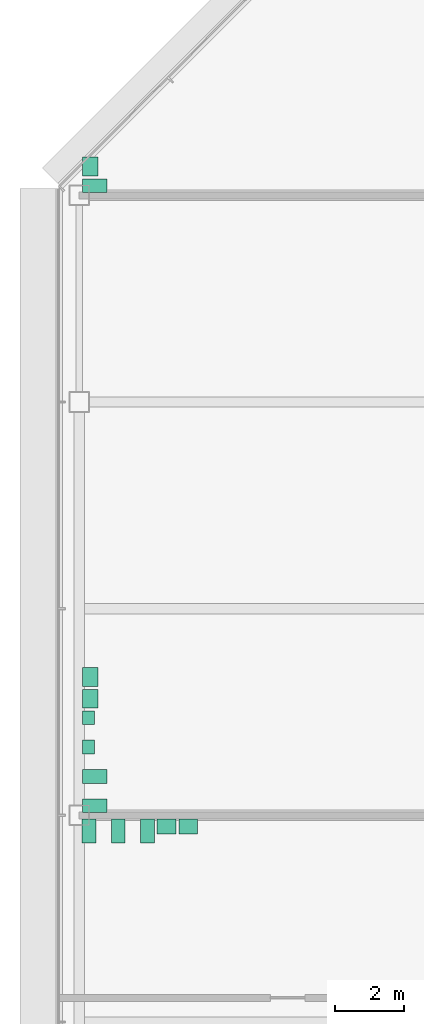
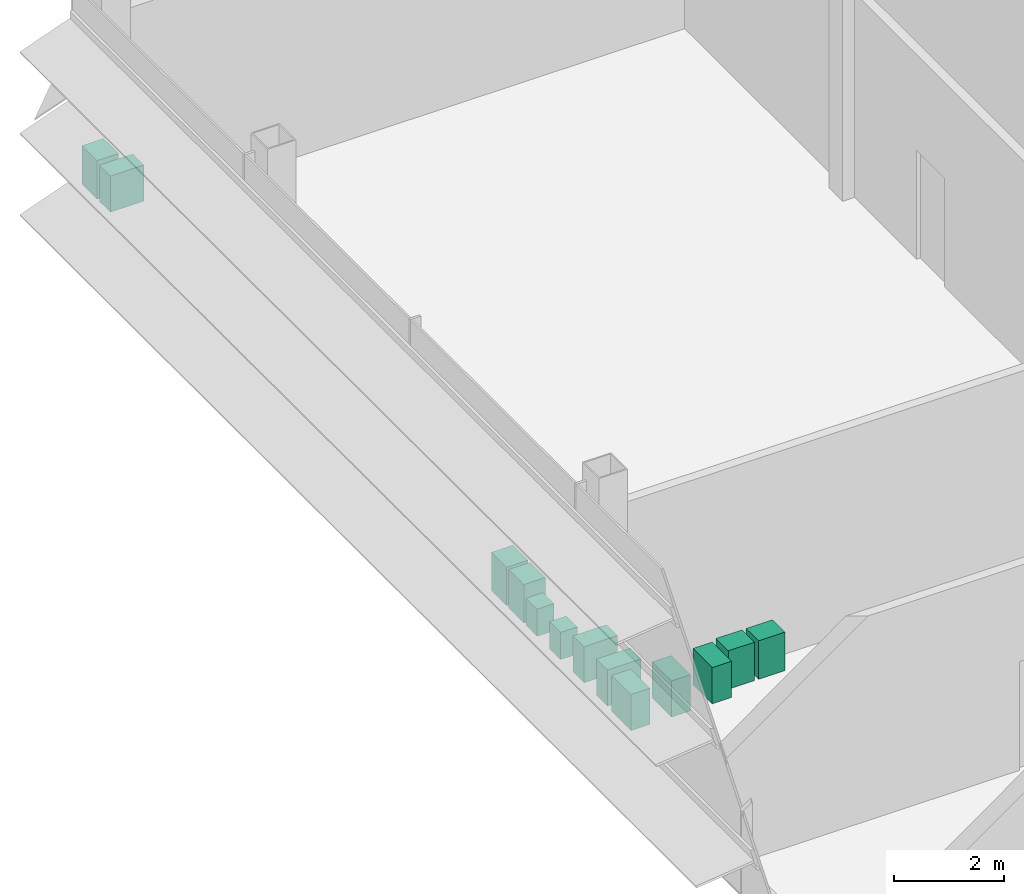
# One storey, part 26 of 26: 13 sanitary terminals.
"""IFC4 building model written with IfcOpenShell, lengths in metres."""

from ifc_helpers import new_model, si_unit, direction, frame, origin, origin_2d, place, context, subcontext, project, spatial, rectangle, extrude, element, save


model = new_model("IFC4")

# Units and contexts
model_context = context("Model", 3, precision=1e-05, world=origin(), true_north=direction((0.0, 1.0)))
body_context = subcontext(model_context, "Body", "Model", "MODEL_VIEW")
ifc_project = project(units=[si_unit("LENGTHUNIT", "METRE"), si_unit("AREAUNIT", "SQUARE_METRE"), si_unit("VOLUMEUNIT", "CUBIC_METRE"), si_unit("PLANEANGLEUNIT", "RADIAN"), si_unit("MASSUNIT", "GRAM", prefix="KILO")], contexts=[model_context])

# Site, building, storey
site_placement = place(None, origin())
site = spatial("IfcSite", under=ifc_project, at=site_placement, CompositionType="ELEMENT")
building_placement = place(site_placement, origin())
building = spatial("IfcBuilding", under=site, at=building_placement, Name="Sorahane Residences", CompositionType="ELEMENT")
storey_placement = place(building_placement, frame((0.0, 0.0, 257.60009765625)))
storey = spatial("IfcBuildingStorey", under=building, at=storey_placement, Name="L61", CompositionType="ELEMENT", Elevation=257.60009765625)

# Sanitary terminals
for number, where, z_axis, x_axis, name in (
    (1, (-11.719970703125, 23.550048828125, 0.0), (0.0, 0.0, 1.0), (1.0, 0.0, 0.0), "WC pan Women's toilets 61"),
    (2, (-10.8701171875, 23.550048828125, 0.0), (0.0, 0.0, 1.0), (1.0, 0.0, 0.0), "WC pan Women's toilets 61"),
    (3, (-10.02001953125, 23.550048828125, 0.0), (0.0, 0.0, 1.0), (1.0, 0.0, 0.0), "WC pan Women's toilets 61"),
):
    element("IfcSanitaryTerminal", number, at=place(storey_placement, frame(where, z_axis=z_axis, x_axis=x_axis)), inside=storey, Name=name, PredefinedType="TOILETPAN", context=body_context, shape_type="SweptSolid", body=[
        extrude(rectangle(XDim=0.39990234375, YDim=0.699951171875, at=origin_2d()), origin(), (0.0, 0.0, 1.0), 0.800048828125),
    ])
for number, where, z_axis, x_axis, name in (
    (4, (-9.465087890625, 23.675048828125, -0.000244140625), (0.0, 0.0, 1.0), (1.0, 0.0, 0.0), "Wash basin Women's toilets 61"),
    (5, (-8.8349609375, 23.675048828125, -0.000244140625), (0.0, 0.0, 1.0), (1.0, 0.0, 0.0), "Wash basin Women's toilets 61"),
):
    element("IfcSanitaryTerminal", number, at=place(storey_placement, frame(where, z_axis=z_axis, x_axis=x_axis)), inside=storey, Name=name, PredefinedType="WASHHANDBASIN", context=body_context, shape_type="SweptSolid", body=[
        extrude(rectangle(XDim=0.550048828125, YDim=0.449951171875, at=origin_2d()), origin(), (0.0, 0.0, 1.0), 0.85009765625),
    ])
for number, where, z_axis, x_axis, name in (
    (6, (-11.550048828125, 24.280029296875, 0.0), (0.0, 0.0, 1.0), (0.0, 1.0, 0.0), "WC pan Men's toilets 61"),
    (7, (-11.550048828125, 25.1298828125, 0.0), (0.0, 0.0, 1.0), (0.0, 1.0, 0.0), "WC pan Men's toilets 61"),
):
    element("IfcSanitaryTerminal", number, at=place(storey_placement, frame(where, z_axis=z_axis, x_axis=x_axis)), inside=storey, Name=name, PredefinedType="TOILETPAN", context=body_context, shape_type="SweptSolid", body=[
        extrude(rectangle(XDim=0.39990234375, YDim=0.699951171875, at=origin_2d()), origin(), (0.0, 0.0, 1.0), 0.800048828125),
    ])
for number, where, z_axis, x_axis, name in (
    (8, (-11.72509765625, 25.97998046875, -0.000244140625), (0.0, 0.0, 1.0), (0.0, 1.0, 0.0), "Urinal Men's toilets 61"),
    (9, (-11.72509765625, 26.830078125, -0.000244140625), (0.0, 0.0, 1.0), (0.0, 1.0, 0.0), "Urinal Men's toilets 61"),
):
    element("IfcSanitaryTerminal", number, at=place(storey_placement, frame(where, z_axis=z_axis, x_axis=x_axis)), inside=storey, Name=name, PredefinedType="URINAL", context=body_context, shape_type="SweptSolid", body=[
        extrude(rectangle(XDim=0.39990234375, YDim=0.35009765625, at=origin_2d()), origin(), (0.0, 0.0, 1.0), 0.60009765625),
    ])
for number, where, z_axis, x_axis, name in (
    (10, (-11.675048828125, 27.385009765625, -0.000244140625), (0.0, 0.0, 1.0), (0.0, 1.0, 0.0), "Wash basin Men's toilets 61"),
    (11, (-11.675048828125, 28.014892578125, -0.000244140625), (0.0, 0.0, 1.0), (0.0, 1.0, 0.0), "Wash basin Men's toilets 61"),
):
    element("IfcSanitaryTerminal", number, at=place(storey_placement, frame(where, z_axis=z_axis, x_axis=x_axis)), inside=storey, Name=name, PredefinedType="WASHHANDBASIN", context=body_context, shape_type="SweptSolid", body=[
        extrude(rectangle(XDim=0.550048828125, YDim=0.449951171875, at=origin_2d()), origin(), (0.0, 0.0, 1.0), 0.85009765625),
    ])
sanitary_terminal_1_placement = place(storey_placement, frame((-11.550048828125, 42.280029296875, 0.0), z_axis=(0.0, 0.0, 1.0), x_axis=(0.0, 1.0, 0.0)))
element("IfcSanitaryTerminal", 12, at=sanitary_terminal_1_placement, inside=storey, Name="WC pan Accessible toilets 61", PredefinedType="TOILETPAN", context=body_context, shape_type="SweptSolid", body=[
    extrude(rectangle(XDim=0.39990234375, YDim=0.699951171875, at=origin_2d()), origin(), (0.0, 0.0, 1.0), 0.800048828125),
])
sanitary_terminal_2_placement = place(storey_placement, frame((-11.675048828125, 42.8349609375, -0.000244140625), z_axis=(0.0, 0.0, 1.0), x_axis=(0.0, 1.0, 0.0)))
element("IfcSanitaryTerminal", 13, at=sanitary_terminal_2_placement, inside=storey, Name="Wash basin Accessible toilets 61", PredefinedType="WASHHANDBASIN", context=body_context, shape_type="SweptSolid", body=[
    extrude(rectangle(XDim=0.550048828125, YDim=0.449951171875, at=origin_2d()), origin(), (0.0, 0.0, 1.0), 0.85009765625),
])

save(model, "model.ifc")
